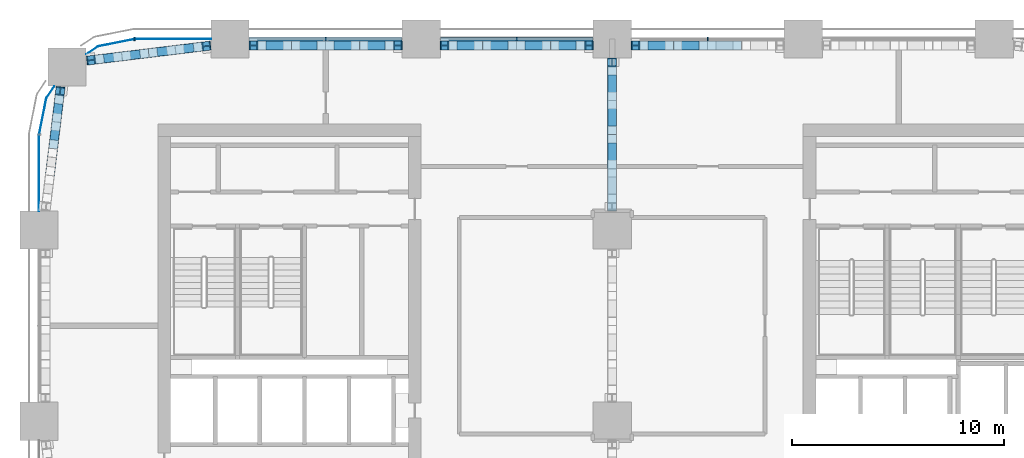
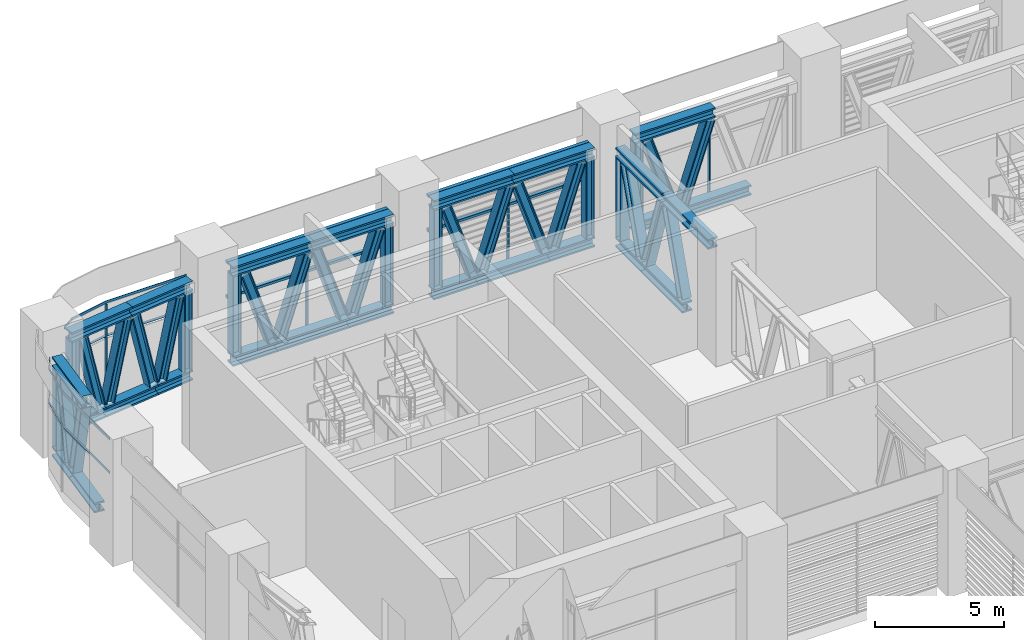
# One storey, part 8 of 24: 65 members, 5 elements without a shape of their own.
"""IFC4 building model written with IfcOpenShell, lengths in metres."""

from ifc_helpers import new_model, si_unit, direction, frame, origin, origin_2d, place, context, subcontext, project, spatial, polyline, rectangle, i_section, outline, extrude, material, material_profile, profile_set, type_object, element, aggregate, save


model = new_model("IFC4")

# Units and contexts
model_context = context("Model", 3, precision=1e-05, world=origin(), true_north=direction((0.0, 1.0)))
body_context = subcontext(model_context, "Body", "Model", "MODEL_VIEW")
ifc_project = project(units=[si_unit("LENGTHUNIT", "METRE"), si_unit("AREAUNIT", "SQUARE_METRE"), si_unit("VOLUMEUNIT", "CUBIC_METRE"), si_unit("PLANEANGLEUNIT", "RADIAN"), si_unit("MASSUNIT", "GRAM", prefix="KILO")], contexts=[model_context])

# Site, building, storey
site_placement = place(None, origin())
site = spatial("IfcSite", under=ifc_project, at=site_placement, CompositionType="ELEMENT")
building_placement = place(site_placement, origin())
building = spatial("IfcBuilding", under=site, at=building_placement, Name="Tessera Arch", CompositionType="ELEMENT")
storey_placement = place(building_placement, frame((0.0, 0.0, 123.39990234375)))
storey = spatial("IfcBuildingStorey", under=building, at=storey_placement, Name="L29", CompositionType="ELEMENT", Elevation=123.39990234375)

# Curtain wall, member
ifc_material_1 = material(Name="CW7 curtain wall")
curtain_wall_type = type_object("IfcCurtainWallType", Name="CW7 curtain wall", PredefinedType="NOTDEFINED", material=ifc_material_1)
curtain_wall_1_placement = place(storey_placement, origin())
curtain_wall_1 = element("IfcCurtainWall", 1, at=curtain_wall_1_placement, inside=storey, type_object=curtain_wall_type, Name="CW7 curtain wall N54.0/1 L29", PredefinedType="NOTDEFINED")
ifc_material_2 = material(Name="Anodised aluminium pale metal", Category="aluminium")
ifc_material_profile_1 = material_profile(ifc_material_2, rectangle(XDim=0.159912109375, YDim=0.06005859375, at=origin_2d()), Name="AL 60x160")
ifc_profile_set_1 = profile_set([ifc_material_profile_1], Name="Anodised aluminium pale metal")
member_type_1 = type_object("IfcMemberType", Name="CW7 mullion", PredefinedType="MULLION", material=ifc_profile_set_1)
member_1_placement = place(storey_placement, frame((31.5, 54.0, 0.0), z_axis=(0.0, 0.0, 1.0), x_axis=(0.0, -1.0, 0.0)))
member_1 = element("IfcMember", 2, at=member_1_placement, type_object=member_type_1, Name="CW7 mullion N54.0/1 1", PredefinedType="MULLION", context=body_context, shape_type="SweptSolid", body=[
    extrude(rectangle(XDim=0.159912109375, YDim=0.06005859375, at=origin_2d()), origin(), (0.0, 0.0, 1.0), 4.580078125),
])
aggregate(curtain_wall_1, [member_1])

curtain_wall_2_placement = place(storey_placement, origin())
curtain_wall_2 = element("IfcCurtainWall", 3, at=curtain_wall_2_placement, inside=storey, type_object=curtain_wall_type, Name="CW7 curtain wall N54.0/2 L29", PredefinedType="NOTDEFINED")
member_2_placement = place(storey_placement, frame((22.5, 54.0, 0.0), z_axis=(0.0, 0.0, 1.0), x_axis=(0.0, -1.0, 0.0)))
member_2 = element("IfcMember", 4, at=member_2_placement, type_object=member_type_1, Name="CW7 mullion N54.0/2 1", PredefinedType="MULLION", context=body_context, shape_type="SweptSolid", body=[
    extrude(rectangle(XDim=0.159912109375, YDim=0.06005859375, at=origin_2d()), origin(), (0.0, 0.0, 1.0), 4.580078125),
])

curtain_wall_3_placement = place(storey_placement, origin())
curtain_wall_3 = element("IfcCurtainWall", 5, at=curtain_wall_3_placement, inside=storey, type_object=curtain_wall_type, Name="CW7 curtain wall N54.0/3 L29", PredefinedType="NOTDEFINED")
member_3_placement = place(storey_placement, frame((13.5, 54.0, 0.0), z_axis=(0.0, 0.0, 1.0), x_axis=(0.0, -1.0, 0.0)))
member_3 = element("IfcMember", 6, at=member_3_placement, type_object=member_type_1, Name="CW7 mullion N54.0/3 1", PredefinedType="MULLION", context=body_context, shape_type="SweptSolid", body=[
    extrude(rectangle(XDim=0.159912109375, YDim=0.06005859375, at=origin_2d()), origin(), (0.0, 0.0, 1.0), 4.580078125),
])

curtain_wall_4_placement = place(storey_placement, origin())
curtain_wall_4 = element("IfcCurtainWall", 7, at=curtain_wall_4_placement, inside=storey, type_object=curtain_wall_type, Name="CW7 curtain wall N54.0/4 L29", PredefinedType="NOTDEFINED")
member_4_placement = place(storey_placement, frame((4.5, 54.0, 0.0), z_axis=(0.0, 0.0, 1.0), x_axis=(0.0, -1.0, 0.0)))
member_4 = element("IfcMember", 8, at=member_4_placement, type_object=member_type_1, Name="CW7 mullion N54.0/4 1", PredefinedType="MULLION", context=body_context, shape_type="SweptSolid", body=[
    extrude(rectangle(XDim=0.159912109375, YDim=0.06005859375, at=origin_2d()), origin(), (0.0, 0.0, 1.0), 4.580078125),
])

# Member
ifc_material_3 = material(Name="Anodised aluminium pale metal", Category="aluminium")
ifc_material_profile_2 = material_profile(ifc_material_3, rectangle(XDim=0.159912109375, YDim=0.1201171875, at=origin_2d()), Name="AL 160x120")
ifc_profile_set_2 = profile_set([ifc_material_profile_2], Name="Anodised aluminium pale metal")
member_type_2 = type_object("IfcMemberType", Name="CW7 transom", PredefinedType="USERDEFINED", material=ifc_profile_set_2)
member_5_placement = place(storey_placement, frame((26.10009765625, 54.0, 4.64013671875), z_axis=(-1.0, 0.0, 0.0), x_axis=(0.0, -1.0, 0.0)))
member_5 = element("IfcMember", 9, at=member_5_placement, type_object=member_type_2, Name="CW7 transom N54.0/2 1.1", ObjectType="TRANSOM", PredefinedType="USERDEFINED", context=body_context, shape_type="SweptSolid", body=[
    extrude(rectangle(XDim=0.159912109375, YDim=0.1201171875, at=origin_2d()), origin(), (0.0, 0.0, 1.0), 7.2001953125),
])

member_6_placement = place(storey_placement, frame((26.10009765625, 54.0, 3.0), z_axis=(-1.0, 0.0, 0.0), x_axis=(0.0, -1.0, 0.0)))
member_6 = element("IfcMember", 10, at=member_6_placement, type_object=member_type_2, Name="CW7 transom N54.0/2 2.1", ObjectType="TRANSOM", PredefinedType="USERDEFINED", context=body_context, shape_type="SweptSolid", body=[
    extrude(rectangle(XDim=0.159912109375, YDim=0.1201171875, at=origin_2d()), origin(), (0.0, 0.0, 1.0), 7.2001953125),
])

aggregate(curtain_wall_2, [member_2, member_5, member_6])

member_7_placement = place(storey_placement, frame((17.10009765625, 54.0, 4.64013671875), z_axis=(-1.0, 0.0, 0.0), x_axis=(0.0, -1.0, 0.0)))
member_7 = element("IfcMember", 11, at=member_7_placement, type_object=member_type_2, Name="CW7 transom N54.0/3 1.1", ObjectType="TRANSOM", PredefinedType="USERDEFINED", context=body_context, shape_type="SweptSolid", body=[
    extrude(rectangle(XDim=0.159912109375, YDim=0.1201171875, at=origin_2d()), origin(), (0.0, 0.0, 1.0), 7.2001953125),
])

member_8_placement = place(storey_placement, frame((17.10009765625, 54.0, 3.0), z_axis=(-1.0, 0.0, 0.0), x_axis=(0.0, -1.0, 0.0)))
member_8 = element("IfcMember", 12, at=member_8_placement, type_object=member_type_2, Name="CW7 transom N54.0/3 2.1", ObjectType="TRANSOM", PredefinedType="USERDEFINED", context=body_context, shape_type="SweptSolid", body=[
    extrude(rectangle(XDim=0.159912109375, YDim=0.1201171875, at=origin_2d()), origin(), (0.0, 0.0, 1.0), 7.2001953125),
])

aggregate(curtain_wall_3, [member_3, member_7, member_8])

member_9_placement = place(storey_placement, frame((0.0, 0.0, 3.0)))
member_9 = element("IfcMember", 13, at=member_9_placement, type_object=member_type_2, Name="CW7 transom N54.0/4 1", ObjectType="TRANSOM", PredefinedType="USERDEFINED", context=body_context, shape_type="SweptSolid", body=[
    extrude(outline(polyline([(4.5009765625, 53.989990234375), (8.10009765625, 53.989990234375), (8.10009765625, 54.010009765625), (4.4990234375, 54.010009765625), (2.77392578125, 53.6669921875), (2.21240234375, 53.29150390625), (2.2236328125, 53.27490234375), (2.78173828125, 53.648193359375), (4.5009765625, 53.989990234375)])), origin(), (0.0, 0.0, 1.0), 0.1201171875),
])

member_10_placement = place(storey_placement, frame((0.0, 0.0, 4.580078125)))
member_10 = element("IfcMember", 14, at=member_10_placement, type_object=member_type_2, Name="CW7 transom N54.0/4 2", ObjectType="TRANSOM", PredefinedType="USERDEFINED", context=body_context, shape_type="SweptSolid", body=[
    extrude(outline(polyline([(4.5009765625, 53.989990234375), (8.10009765625, 53.989990234375), (8.10009765625, 54.010009765625), (4.4990234375, 54.010009765625), (2.77392578125, 53.6669921875), (2.21240234375, 53.29150390625), (2.2236328125, 53.27490234375), (2.78173828125, 53.648193359375), (4.5009765625, 53.989990234375)])), origin(), (0.0, 0.0, 1.0), 0.1201171875),
])

aggregate(curtain_wall_4, [member_4, member_9, member_10])

# Curtain wall, members
curtain_wall_5_placement = place(storey_placement, origin())
curtain_wall_5 = element("IfcCurtainWall", 15, at=curtain_wall_5_placement, inside=storey, type_object=curtain_wall_type, Name="CW7 curtain wall W0.27/0 L29", PredefinedType="NOTDEFINED")
member_11_placement = place(storey_placement, frame((0.0, 0.0, 3.0)))
member_11 = element("IfcMember", 16, at=member_11_placement, type_object=member_type_2, Name="CW7 transom W0.27/0 1", ObjectType="TRANSOM", PredefinedType="USERDEFINED", context=body_context, shape_type="SweptSolid", body=[
    extrude(outline(polyline([(0.351806640625, 51.21826171875), (0.72509765625, 51.7763671875), (0.70849609375, 51.78759765625), (0.3330078125, 51.22607421875), (-0.010009765625, 49.5009765625), (-0.010009765625, 45.89990234375), (0.010009765625, 45.89990234375), (0.010009765625, 49.4990234375), (0.351806640625, 51.21826171875)])), origin(), (0.0, 0.0, 1.0), 0.1201171875),
])
member_12_placement = place(storey_placement, frame((0.0, 0.0, 4.580078125)))
member_12 = element("IfcMember", 17, at=member_12_placement, type_object=member_type_2, Name="CW7 transom W0.27/0 2", ObjectType="TRANSOM", PredefinedType="USERDEFINED", context=body_context, shape_type="SweptSolid", body=[
    extrude(outline(polyline([(0.351806640625, 51.21826171875), (0.72509765625, 51.7763671875), (0.70849609375, 51.78759765625), (0.3330078125, 51.22607421875), (-0.010009765625, 49.5009765625), (-0.010009765625, 45.89990234375), (0.010009765625, 45.89990234375), (0.010009765625, 49.4990234375), (0.351806640625, 51.21826171875)])), origin(), (0.0, 0.0, 1.0), 0.1201171875),
])
aggregate(curtain_wall_5, [member_11, member_12])

# Members
ifc_material_4 = material(Name="Steel A992 Gr50", Category="steel")
ifc_material_profile_3 = material_profile(ifc_material_4, i_section(OverallWidth=0.424072265625, OverallDepth=0.47412109375, WebThickness=0.047607421875, FlangeThickness=0.0771484375, at=origin_2d()), Name="W14x426")
ifc_profile_set_3 = profile_set([ifc_material_profile_3], Name="Steel A992 Gr50")
member_type_3 = type_object("IfcMemberType", Name="Truss chord W14x426", PredefinedType="CHORD", material=ifc_profile_set_3)
member_13_placement = place(storey_placement, frame((31.5, 53.699951171875, 4.462890625), z_axis=(-1.0, 0.0, 0.0), x_axis=(0.0, -1.0, 0.0)))
element("IfcMember", 18, at=member_13_placement, inside=storey, type_object=member_type_3, Name="Belt truss top chord 2", PredefinedType="CHORD", context=body_context, shape_type="SweptSolid", body=[
    extrude(i_section(OverallWidth=0.424072265625, OverallDepth=0.47412109375, WebThickness=0.047607421875, FlangeThickness=0.0771484375, at=origin_2d()), origin(), (0.0, 0.0, 1.0), 3.60009765625),
])
member_14_placement = place(storey_placement, frame((33.103271484375, 53.699951171875, 0.2373046875), z_axis=(-1.0, 0.0, 0.0), x_axis=(0.0, -1.0, 0.0)))
element("IfcMember", 19, at=member_14_placement, inside=storey, type_object=member_type_3, Name="Belt truss bottom chord 2", PredefinedType="CHORD", context=body_context, shape_type="SweptSolid", body=[
    extrude(i_section(OverallWidth=0.424072265625, OverallDepth=0.47412109375, WebThickness=0.047607421875, FlangeThickness=0.0771484375, at=origin_2d()), origin(), (0.0, 0.0, 1.0), 3.20654296875),
])
member_15_placement = place(storey_placement, frame((29.896728515625, 53.699951171875, 0.2373046875), z_axis=(-1.0, 0.0, 0.0), x_axis=(0.0, -1.0, 0.0)))
element("IfcMember", 20, at=member_15_placement, inside=storey, type_object=member_type_3, Name="Belt truss bottom chord 3", PredefinedType="CHORD", context=body_context, shape_type="SweptSolid", body=[
    extrude(i_section(OverallWidth=0.424072265625, OverallDepth=0.47412109375, WebThickness=0.047607421875, FlangeThickness=0.0771484375, at=origin_2d()), origin(), (0.0, 0.0, 1.0), 1.996826171875),
])
for number, where, z_axis, x_axis, name in (
    (21, (26.10009765625, 53.699951171875, 4.462890625), (-1.0, 0.0, 0.0), (0.0, -1.0, 0.0), "Belt truss top chord 1"),
    (22, (22.5, 53.699951171875, 4.462890625), (-1.0, 0.0, 0.0), (0.0, -1.0, 0.0), "Belt truss top chord 2"),
):
    element("IfcMember", number, at=place(storey_placement, frame(where, z_axis=z_axis, x_axis=x_axis)), inside=storey, type_object=member_type_3, Name=name, PredefinedType="CHORD", context=body_context, shape_type="SweptSolid", body=[
        extrude(i_section(OverallWidth=0.424072265625, OverallDepth=0.47412109375, WebThickness=0.047607421875, FlangeThickness=0.0771484375, at=origin_2d()), origin(), (0.0, 0.0, 1.0), 3.60009765625),
    ])
member_16_placement = place(storey_placement, frame((26.10009765625, 53.699951171875, 0.2373046875), z_axis=(-1.0, 0.0, 0.0), x_axis=(0.0, -1.0, 0.0)))
element("IfcMember", 23, at=member_16_placement, inside=storey, type_object=member_type_3, Name="Belt truss bottom chord 1", PredefinedType="CHORD", context=body_context, shape_type="SweptSolid", body=[
    extrude(i_section(OverallWidth=0.424072265625, OverallDepth=0.47412109375, WebThickness=0.047607421875, FlangeThickness=0.0771484375, at=origin_2d()), origin(), (0.0, 0.0, 1.0), 1.996826171875),
])
member_17_placement = place(storey_placement, frame((24.103271484375, 53.699951171875, 0.2373046875), z_axis=(-1.0, 0.0, 0.0), x_axis=(0.0, -1.0, 0.0)))
element("IfcMember", 24, at=member_17_placement, inside=storey, type_object=member_type_3, Name="Belt truss bottom chord 2", PredefinedType="CHORD", context=body_context, shape_type="SweptSolid", body=[
    extrude(i_section(OverallWidth=0.424072265625, OverallDepth=0.47412109375, WebThickness=0.047607421875, FlangeThickness=0.0771484375, at=origin_2d()), origin(), (0.0, 0.0, 1.0), 3.20654296875),
])
member_18_placement = place(storey_placement, frame((20.896728515625, 53.699951171875, 0.2373046875), z_axis=(-1.0, 0.0, 0.0), x_axis=(0.0, -1.0, 0.0)))
element("IfcMember", 25, at=member_18_placement, inside=storey, type_object=member_type_3, Name="Belt truss bottom chord 3", PredefinedType="CHORD", context=body_context, shape_type="SweptSolid", body=[
    extrude(i_section(OverallWidth=0.424072265625, OverallDepth=0.47412109375, WebThickness=0.047607421875, FlangeThickness=0.0771484375, at=origin_2d()), origin(), (0.0, 0.0, 1.0), 1.996826171875),
])
for number, where, z_axis, x_axis, name in (
    (26, (17.10009765625, 53.699951171875, 4.462890625), (-1.0, 0.0, 0.0), (0.0, -1.0, 0.0), "Belt truss top chord 1"),
    (27, (13.5, 53.699951171875, 4.462890625), (-1.0, 0.0, 0.0), (0.0, -1.0, 0.0), "Belt truss top chord 2"),
):
    element("IfcMember", number, at=place(storey_placement, frame(where, z_axis=z_axis, x_axis=x_axis)), inside=storey, type_object=member_type_3, Name=name, PredefinedType="CHORD", context=body_context, shape_type="SweptSolid", body=[
        extrude(i_section(OverallWidth=0.424072265625, OverallDepth=0.47412109375, WebThickness=0.047607421875, FlangeThickness=0.0771484375, at=origin_2d()), origin(), (0.0, 0.0, 1.0), 3.60009765625),
    ])
member_19_placement = place(storey_placement, frame((17.10009765625, 53.699951171875, 0.2373046875), z_axis=(-1.0, 0.0, 0.0), x_axis=(0.0, -1.0, 0.0)))
element("IfcMember", 28, at=member_19_placement, inside=storey, type_object=member_type_3, Name="Belt truss bottom chord 1", PredefinedType="CHORD", context=body_context, shape_type="SweptSolid", body=[
    extrude(i_section(OverallWidth=0.424072265625, OverallDepth=0.47412109375, WebThickness=0.047607421875, FlangeThickness=0.0771484375, at=origin_2d()), origin(), (0.0, 0.0, 1.0), 1.996826171875),
])
member_20_placement = place(storey_placement, frame((15.103271484375, 53.699951171875, 0.2373046875), z_axis=(-1.0, 0.0, 0.0), x_axis=(0.0, -1.0, 0.0)))
element("IfcMember", 29, at=member_20_placement, inside=storey, type_object=member_type_3, Name="Belt truss bottom chord 2", PredefinedType="CHORD", context=body_context, shape_type="SweptSolid", body=[
    extrude(i_section(OverallWidth=0.424072265625, OverallDepth=0.47412109375, WebThickness=0.047607421875, FlangeThickness=0.0771484375, at=origin_2d()), origin(), (0.0, 0.0, 1.0), 3.20654296875),
])
member_21_placement = place(storey_placement, frame((11.896728515625, 53.699951171875, 0.2373046875), z_axis=(-1.0, 0.0, 0.0), x_axis=(0.0, -1.0, 0.0)))
element("IfcMember", 30, at=member_21_placement, inside=storey, type_object=member_type_3, Name="Belt truss bottom chord 3", PredefinedType="CHORD", context=body_context, shape_type="SweptSolid", body=[
    extrude(i_section(OverallWidth=0.424072265625, OverallDepth=0.47412109375, WebThickness=0.047607421875, FlangeThickness=0.0771484375, at=origin_2d()), origin(), (0.0, 0.0, 1.0), 1.996826171875),
])
member_22_placement = place(storey_placement, frame((8.074462890625, 53.694580078125, 4.462890625), z_axis=(-0.992662465055, -0.120918280139, 0.0), x_axis=(0.120918280139, -0.992662465055, 0.0)))
element("IfcMember", 31, at=member_22_placement, inside=storey, type_object=member_type_3, Name="Belt truss top chord 1", PredefinedType="CHORD", context=body_context, shape_type="SweptSolid", body=[
    extrude(i_section(OverallWidth=0.424072265625, OverallDepth=0.47412109375, WebThickness=0.047607421875, FlangeThickness=0.0771484375, at=origin_2d()), origin(), (0.0, 0.0, 1.0), 2.931640625),
])
member_23_placement = place(storey_placement, frame((5.164306640625, 53.340087890625, 4.462890625), z_axis=(-0.992661247291, -0.12092827679, 0.0), x_axis=(0.12092827679, -0.992661247291, 0.0)))
element("IfcMember", 32, at=member_23_placement, inside=storey, type_object=member_type_3, Name="Belt truss top chord 2", PredefinedType="CHORD", context=body_context, shape_type="SweptSolid", body=[
    extrude(i_section(OverallWidth=0.424072265625, OverallDepth=0.47412109375, WebThickness=0.047607421875, FlangeThickness=0.0771484375, at=origin_2d()), origin(), (0.0, 0.0, 1.0), 2.931396484375),
])
member_24_placement = place(storey_placement, frame((8.074462890625, 53.694580078125, 0.2373046875), z_axis=(-0.992670388674, -0.120853214479, 0.0), x_axis=(0.120853214479, -0.992670388674, 0.0)))
element("IfcMember", 33, at=member_24_placement, inside=storey, type_object=member_type_3, Name="Belt truss bottom chord 1", PredefinedType="CHORD", context=body_context, shape_type="SweptSolid", body=[
    extrude(i_section(OverallWidth=0.424072265625, OverallDepth=0.47412109375, WebThickness=0.047607421875, FlangeThickness=0.0771484375, at=origin_2d()), origin(), (0.0, 0.0, 1.0), 1.66259765625),
])
member_25_placement = place(storey_placement, frame((6.424072265625, 53.49365234375, 0.2373046875), z_axis=(-0.992650669676, -0.121015073404, 0.0), x_axis=(0.121015073404, -0.992650669676, 0.0)))
element("IfcMember", 34, at=member_25_placement, inside=storey, type_object=member_type_3, Name="Belt truss bottom chord 2", PredefinedType="CHORD", context=body_context, shape_type="SweptSolid", body=[
    extrude(i_section(OverallWidth=0.424072265625, OverallDepth=0.47412109375, WebThickness=0.047607421875, FlangeThickness=0.0771484375, at=origin_2d()), origin(), (0.0, 0.0, 1.0), 2.537841796875),
])
member_26_placement = place(storey_placement, frame((3.90478515625, 53.1865234375, 0.2373046875), z_axis=(-0.992670388674, -0.120853214479, 0.0), x_axis=(0.120853214479, -0.992670388674, 0.0)))
element("IfcMember", 35, at=member_26_placement, inside=storey, type_object=member_type_3, Name="Belt truss bottom chord 3", PredefinedType="CHORD", context=body_context, shape_type="SweptSolid", body=[
    extrude(i_section(OverallWidth=0.424072265625, OverallDepth=0.47412109375, WebThickness=0.047607421875, FlangeThickness=0.0771484375, at=origin_2d()), origin(), (0.0, 0.0, 1.0), 1.66259765625),
])
member_27_placement = place(storey_placement, frame((1.014404296875, 51.74560546875, 4.462890625), z_axis=(-0.12092827679, -0.992661247291, 0.0), x_axis=(0.992661247291, -0.12092827679, 0.0)))
element("IfcMember", 36, at=member_27_placement, inside=storey, type_object=member_type_3, Name="Belt truss top chord 1", PredefinedType="CHORD", context=body_context, shape_type="SweptSolid", body=[
    extrude(i_section(OverallWidth=0.424072265625, OverallDepth=0.47412109375, WebThickness=0.047607421875, FlangeThickness=0.0771484375, at=origin_2d()), origin(), (0.0, 0.0, 1.0), 2.931396484375),
])
member_28_placement = place(storey_placement, frame((1.014404296875, 51.74560546875, 0.2373046875), z_axis=(-0.120853214479, -0.992670388674, 0.0), x_axis=(0.992670388674, -0.120853214479, 0.0)))
element("IfcMember", 37, at=member_28_placement, inside=storey, type_object=member_type_3, Name="Belt truss bottom chord 1", PredefinedType="CHORD", context=body_context, shape_type="SweptSolid", body=[
    extrude(i_section(OverallWidth=0.424072265625, OverallDepth=0.47412109375, WebThickness=0.047607421875, FlangeThickness=0.0771484375, at=origin_2d()), origin(), (0.0, 0.0, 1.0), 1.66259765625),
])
member_29_placement = place(storey_placement, frame((0.8134765625, 50.09521484375, 0.2373046875), z_axis=(-0.121015073404, -0.992650669676, 0.0), x_axis=(0.992650669676, -0.121015073404, 0.0)))
element("IfcMember", 38, at=member_29_placement, inside=storey, type_object=member_type_3, Name="Belt truss bottom chord 2", PredefinedType="CHORD", context=body_context, shape_type="SweptSolid", body=[
    extrude(i_section(OverallWidth=0.424072265625, OverallDepth=0.47412109375, WebThickness=0.047607421875, FlangeThickness=0.0771484375, at=origin_2d()), origin(), (0.0, 0.0, 1.0), 2.537841796875),
])
for number, where, z_axis, x_axis, name in (
    (39, (27.0, 45.900146484375, 4.462890625), (0.0, 1.0, 0.0), (-1.0, 0.0, 0.0), "Belt truss top chord 1"),
    (40, (27.0, 49.5, 4.462890625), (0.0, 1.0, 0.0), (-1.0, 0.0, 0.0), "Belt truss top chord 2"),
):
    element("IfcMember", number, at=place(storey_placement, frame(where, z_axis=z_axis, x_axis=x_axis)), inside=storey, type_object=member_type_3, Name=name, PredefinedType="CHORD", context=body_context, shape_type="SweptSolid", body=[
        extrude(i_section(OverallWidth=0.424072265625, OverallDepth=0.47412109375, WebThickness=0.047607421875, FlangeThickness=0.0771484375, at=origin_2d()), origin(), (0.0, 0.0, 1.0), 3.599853515625),
    ])
member_30_placement = place(storey_placement, frame((27.0, 47.89697265625, 0.2373046875), z_axis=(0.0, 1.0, 0.0), x_axis=(-1.0, 0.0, 0.0)))
element("IfcMember", 41, at=member_30_placement, inside=storey, type_object=member_type_3, Name="Belt truss bottom chord 2", PredefinedType="CHORD", context=body_context, shape_type="SweptSolid", body=[
    extrude(i_section(OverallWidth=0.424072265625, OverallDepth=0.47412109375, WebThickness=0.047607421875, FlangeThickness=0.0771484375, at=origin_2d()), origin(), (0.0, 0.0, 1.0), 3.2060546875),
])
member_31_placement = place(storey_placement, frame((27.0, 51.10302734375, 0.2373046875), z_axis=(0.0, 1.0, 0.0), x_axis=(-1.0, 0.0, 0.0)))
element("IfcMember", 42, at=member_31_placement, inside=storey, type_object=member_type_3, Name="Belt truss bottom chord 3", PredefinedType="CHORD", context=body_context, shape_type="SweptSolid", body=[
    extrude(i_section(OverallWidth=0.424072265625, OverallDepth=0.47412109375, WebThickness=0.047607421875, FlangeThickness=0.0771484375, at=origin_2d()), origin(), (0.0, 0.0, 1.0), 1.996826171875),
])
ifc_material_5 = material(Name="Steel A992 Gr50", Category="steel")
ifc_material_profile_4 = material_profile(ifc_material_5, i_section(OverallWidth=0.406494140625, OverallDepth=0.41650390625, WebThickness=0.030029296875, FlangeThickness=0.048095703125, at=origin_2d()), Name="W14x257")
ifc_profile_set_4 = profile_set([ifc_material_profile_4], Name="Steel A992 Gr50")
member_type_4 = type_object("IfcMemberType", Name="Truss diagonal W14x257", PredefinedType="BRACE", material=ifc_profile_set_4)
for number, where, z_axis, x_axis, name in (
    (43, (31.296630859375, 53.699951171875, 4.142822265625), (-0.316557157585, 0.0, -0.948573437316), (0.0, -1.0, 0.0), "Belt truss diagonal 3"),
    (44, (29.693603515625, 53.699951171875, 0.557373046875), (-0.316557157585, 0.0, 0.948573437316), (0.0, -1.0, 0.0), "Belt truss diagonal 4"),
    (45, (25.5029296875, 53.699951171875, 4.142822265625), (-0.316557157585, 0.0, -0.948573437316), (0.0, -1.0, 0.0), "Belt truss diagonal 1"),
    (46, (23.89990234375, 53.699951171875, 0.557373046875), (-0.316557157585, 0.0, 0.948573437316), (0.0, -1.0, 0.0), "Belt truss diagonal 2"),
    (47, (22.296630859375, 53.699951171875, 4.142822265625), (-0.316557157585, 0.0, -0.948573437316), (0.0, -1.0, 0.0), "Belt truss diagonal 3"),
    (48, (20.693603515625, 53.699951171875, 0.557373046875), (-0.316557157585, 0.0, 0.948573437316), (0.0, -1.0, 0.0), "Belt truss diagonal 4"),
    (49, (16.5029296875, 53.699951171875, 4.142822265625), (-0.316557157585, 0.0, -0.948573437316), (0.0, -1.0, 0.0), "Belt truss diagonal 1"),
    (50, (14.89990234375, 53.699951171875, 0.557373046875), (-0.316557157585, 0.0, 0.948573437316), (0.0, -1.0, 0.0), "Belt truss diagonal 2"),
    (51, (13.296630859375, 53.699951171875, 4.142822265625), (-0.316557157585, 0.0, -0.948573437316), (0.0, -1.0, 0.0), "Belt truss diagonal 3"),
    (52, (11.693603515625, 53.699951171875, 0.557373046875), (-0.316557157585, 0.0, 0.948573437316), (0.0, -1.0, 0.0), "Belt truss diagonal 4"),
):
    element("IfcMember", number, at=place(storey_placement, frame(where, z_axis=z_axis, x_axis=x_axis)), inside=storey, type_object=member_type_4, Name=name, PredefinedType="BRACE", context=body_context, shape_type="SweptSolid", body=[
        extrude(i_section(OverallWidth=0.406494140625, OverallDepth=0.41650390625, WebThickness=0.030029296875, FlangeThickness=0.048095703125, at=origin_2d()), origin(), (0.0, 0.0, 1.0), 3.77978515625),
    ])
for number, where, z_axis, x_axis, name in (
    (53, (7.478271484375, 53.6220703125, 4.160400390625), (-0.228178784129, -0.027825080377, -0.973221561298), (0.121047514191, -0.992646714248, 0.0), "Belt truss diagonal 1"),
    (54, (6.21875, 53.468505859375, 0.539794921875), (-0.228240991109, -0.027824663666, 0.973206986242), (0.121013220166, -0.992650895605, 0.0), "Belt truss diagonal 2"),
    (55, (4.958984375, 53.315185546875, 4.160400390625), (-0.228178784129, -0.027825080377, -0.973221561298), (0.121047514191, -0.992646714248, 0.0), "Belt truss diagonal 3"),
    (56, (3.699462890625, 53.16162109375, 0.539794921875), (-0.228240991109, -0.027824663666, 0.973206986242), (0.121013220166, -0.992650895605, 0.0), "Belt truss diagonal 4"),
    (57, (0.94189453125, 51.149658203125, 4.160400390625), (-0.027824663666, -0.228240991109, -0.973206986242), (0.992650895605, -0.121013220166, 0.0), "Belt truss diagonal 1"),
    (58, (0.788330078125, 49.889892578125, 0.539794921875), (-0.027825080377, -0.228178784129, 0.973221561298), (0.992646714248, -0.121047514191, 0.0), "Belt truss diagonal 2"),
):
    element("IfcMember", number, at=place(storey_placement, frame(where, z_axis=z_axis, x_axis=x_axis)), inside=storey, type_object=member_type_4, Name=name, PredefinedType="BRACE", context=body_context, shape_type="SweptSolid", body=[
        extrude(i_section(OverallWidth=0.406494140625, OverallDepth=0.41650390625, WebThickness=0.030029296875, FlangeThickness=0.048095703125, at=origin_2d()), origin(), (0.0, 0.0, 1.0), 3.72021484375),
    ])
for number, where, z_axis, x_axis, name in (
    (59, (27.0, 48.10009765625, 0.557373046875), (0.0, 0.316557157585, 0.948573437316), (-1.0, 0.0, 0.0), "Belt truss diagonal 2"),
    (60, (27.0, 49.703369140625, 4.142822265625), (0.0, 0.316557157585, -0.948573437316), (-1.0, 0.0, 0.0), "Belt truss diagonal 3"),
    (61, (27.0, 51.306396484375, 0.557373046875), (0.0, 0.316557157585, 0.948573437316), (-1.0, 0.0, 0.0), "Belt truss diagonal 4"),
):
    element("IfcMember", number, at=place(storey_placement, frame(where, z_axis=z_axis, x_axis=x_axis)), inside=storey, type_object=member_type_4, Name=name, PredefinedType="BRACE", context=body_context, shape_type="SweptSolid", body=[
        extrude(i_section(OverallWidth=0.406494140625, OverallDepth=0.41650390625, WebThickness=0.030029296875, FlangeThickness=0.048095703125, at=origin_2d()), origin(), (0.0, 0.0, 1.0), 3.77978515625),
    ])
ifc_material_6 = material(Name="Steel A992 Gr50", Category="steel")
ifc_material_profile_5 = material_profile(ifc_material_6, i_section(OverallWidth=0.398681640625, OverallDepth=0.393798828125, WebThickness=0.022705078125, FlangeThickness=0.03662109375, at=origin_2d()), Name="W14x193")
ifc_profile_set_5 = profile_set([ifc_material_profile_5], Name="Steel A992 Gr50")
member_type_5 = type_object("IfcMemberType", Name="Truss post W14x193", PredefinedType="POST", material=ifc_profile_set_5)
for number, where, z_axis, x_axis, name in (
    (62, (28.096923828125, 53.699951171875, 0.474365234375), (0.0, 0.0, 1.0), (0.0, 1.0, 0.0), "Belt truss end post 2"),
    (63, (25.903076171875, 53.699951171875, 0.474365234375), (0.0, 0.0, 1.0), (0.0, 1.0, 0.0), "Belt truss end post 1"),
    (64, (19.096923828125, 53.699951171875, 0.474365234375), (0.0, 0.0, 1.0), (0.0, 1.0, 0.0), "Belt truss end post 2"),
    (65, (16.903076171875, 53.699951171875, 0.474365234375), (0.0, 0.0, 1.0), (0.0, 1.0, 0.0), "Belt truss end post 1"),
    (66, (10.096923828125, 53.699951171875, 0.474365234375), (0.0, 0.0, 1.0), (0.0, 1.0, 0.0), "Belt truss end post 2"),
    (67, (7.87890625, 53.6708984375, 0.474365234375), (0.0, 0.0, 1.0), (-0.120951762202, 0.992658385962, 0.0), "Belt truss end post 1"),
    (68, (2.44970703125, 53.00927734375, 0.474365234375), (0.0, 0.0, 1.0), (-0.120951762202, 0.992658385962, 0.0), "Belt truss end post 2"),
    (69, (0.99072265625, 51.55029296875, 0.474365234375), (0.0, 0.0, 1.0), (-0.992658385962, 0.120951762202, 0.0), "Belt truss end post 1"),
    (70, (27.0, 52.903076171875, 0.474365234375), (0.0, 0.0, 1.0), (1.0, 0.0, 0.0), "Belt truss end post 2"),
):
    element("IfcMember", number, at=place(storey_placement, frame(where, z_axis=z_axis, x_axis=x_axis)), inside=storey, type_object=member_type_5, Name=name, PredefinedType="POST", context=body_context, shape_type="SweptSolid", body=[
        extrude(i_section(OverallWidth=0.398681640625, OverallDepth=0.393798828125, WebThickness=0.022705078125, FlangeThickness=0.03662109375, at=origin_2d()), origin(), (0.0, 0.0, 1.0), 3.75146484375),
    ])

save(model, "model.ifc")
